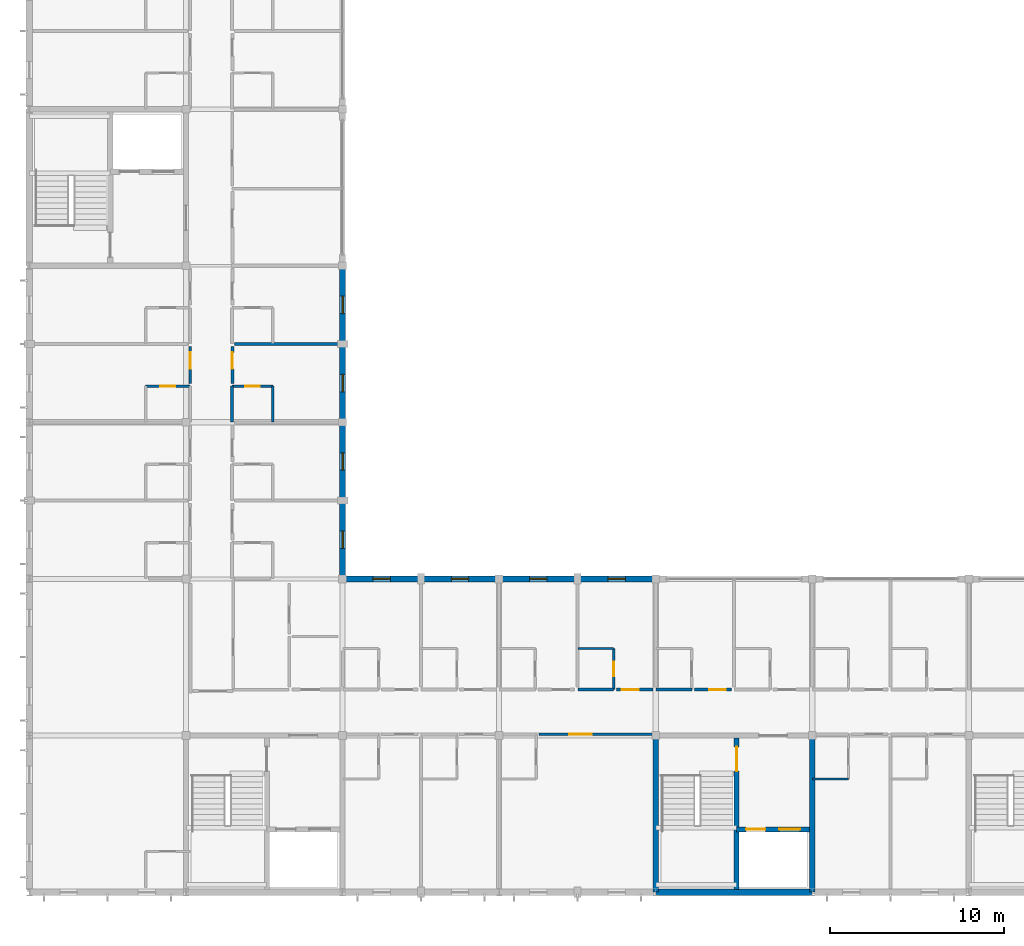
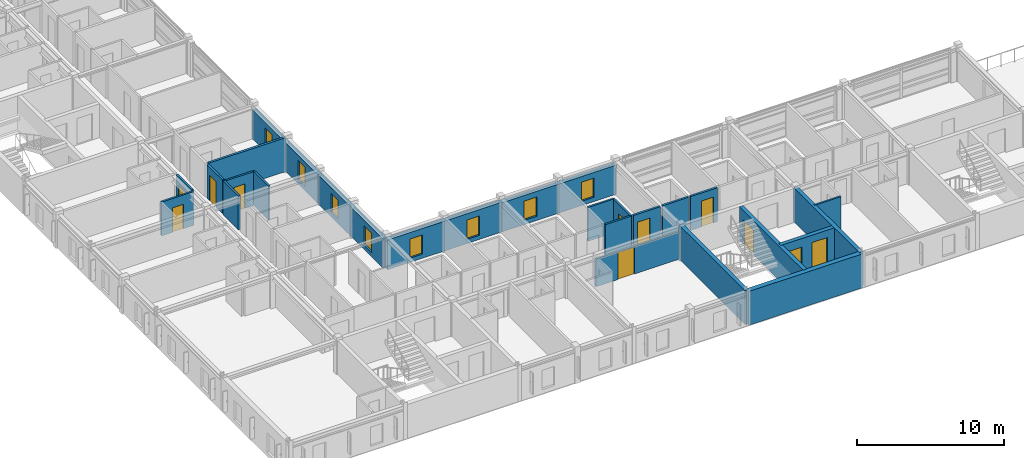
# One storey, part 12 of 24: 24 walls, 11 doors, 8 windows, 19 openings.
"""IFC4 building model written with IfcOpenShell, lengths in metres."""

import ifcopenshell
import ifcopenshell.guid

model = None  # the IFC model being written
_history = None  # IfcOwnerHistory: only IFC2X3 demands one
_inside = {}  # id of a spatial element -> (the spatial element, [elements in it])
_under = {}  # id of a project, library or spatial element -> (it, [spatial elements below it])
_declared = {}  # id of a project -> (the project, [libraries it declares])
_typed = {}  # id of a type object -> (the type object, [elements of that type])
_made_of = {}  # id of a material, layer set ... -> (it, [elements and type objects made of it])


def new_model(schema):
    """Start an empty IFC model of exactly this schema.

    Asked for "IFC4X3", IfcOpenShell would pick the latest addendum, in which some entities
    have other attributes; the version numbers below select the first issue.
    IFC2X3 requires an IfcOwnerHistory on every rooted entity: one is made here for all.
    """
    global model, _history
    if schema == "IFC4X3":
        model = ifcopenshell.file(schema_version=(4, 3, 0, 0))
    else:
        model = ifcopenshell.file(schema=schema)
    _inside.clear()
    _under.clear()
    _declared.clear()
    _typed.clear()
    _made_of.clear()
    _history = None
    if model.schema == "IFC2X3":
        org = make("IfcOrganization", Name="unknown")
        user = make(
            "IfcPersonAndOrganization",
            ThePerson=make("IfcPerson", FamilyName="unknown"),
            TheOrganization=org,
        )
        app = make(
            "IfcApplication",
            ApplicationDeveloper=org,
            Version="unknown",
            ApplicationFullName="unknown",
            ApplicationIdentifier="unknown",
        )
        _history = make(
            "IfcOwnerHistory",
            OwningUser=user,
            OwningApplication=app,
            ChangeAction="ADDED",
            CreationDate=0,
        )
    return model


def make(cls, **values):
    """One entity of the class cls with the attributes given. An attribute that is None is left unset."""
    return model.create_entity(
        cls, **{name: value for name, value in values.items() if value is not None}
    )


def rooted(cls, **values):
    """An entity with a GlobalId (a new one), such as an element, a storey or a relation."""
    return make(cls, GlobalId=ifcopenshell.guid.new(), OwnerHistory=_history, **values)


def si_unit(unit_type, name, prefix=None):
    """IfcSIUnit, for example si_unit("LENGTHUNIT", "METRE", prefix="MILLI")."""
    return make("IfcSIUnit", UnitType=unit_type, Prefix=prefix, Name=name)


def assignment(units):
    """IfcUnitAssignment: the units of a project."""
    return None if units is None else make("IfcUnitAssignment", Units=units)


def point(xyz):
    """IfcCartesianPoint."""
    return None if xyz is None else make("IfcCartesianPoint", Coordinates=xyz)


def direction(xyz):
    """IfcDirection."""
    return None if xyz is None else make("IfcDirection", DirectionRatios=xyz)


def frame(location, z_axis=None, x_axis=None):
    """IfcAxis2Placement3D, a coordinate frame: its origin and axes. An axis left out is left unset."""
    return make(
        "IfcAxis2Placement3D",
        Location=point(location),
        Axis=direction(z_axis),
        RefDirection=direction(x_axis),
    )


def frame_2d(location, x_axis=None):
    """IfcAxis2Placement2D, a coordinate frame in the plane: its origin and x axis."""
    return make(
        "IfcAxis2Placement2D", Location=point(location), RefDirection=direction(x_axis)
    )


def origin():
    """The frame at (0, 0, 0) with its axes left unset."""
    return frame((0.0, 0.0, 0.0))


def place(relative_to, where):
    """IfcLocalPlacement: puts the frame where relative to a parent placement (None: the world)."""
    return make(
        "IfcLocalPlacement", PlacementRelTo=relative_to, RelativePlacement=where
    )


def context(
    kind, dimensions, precision=None, world=None, true_north=None, identifier=None
):
    """IfcGeometricRepresentationContext, for example the 3D "Model" context."""
    return make(
        "IfcGeometricRepresentationContext",
        ContextIdentifier=identifier,
        ContextType=kind,
        CoordinateSpaceDimension=dimensions,
        Precision=precision,
        WorldCoordinateSystem=world,
        TrueNorth=true_north,
    )


def subcontext(parent, identifier, kind, view, scale=None):
    """IfcGeometricRepresentationSubContext, for example "Body" below "Model"."""
    return make(
        "IfcGeometricRepresentationSubContext",
        ContextIdentifier=identifier,
        ContextType=kind,
        ParentContext=parent,
        TargetScale=scale,
        TargetView=view,
    )


def project(units=None, contexts=None):
    """IfcProject with its units and contexts."""
    return rooted(
        "IfcProject",
        Name="project",
        RepresentationContexts=contexts,
        UnitsInContext=assignment(units),
    )


def spatial(cls, under=None, at=None, **own):
    """A site, building, storey or space (cls), placed at a placement, below another one or the project."""
    s = rooted(cls, ObjectPlacement=at, **own)
    if under is not None:
        _under.setdefault(under.id(), (under, []))[1].append(s)
    return s


def profile(cls, at=None, kind="AREA", **sizes):
    """A parametric profile (cls). Its sizes go by their IFC names, for example OverallWidth=200.0."""
    return make(cls, ProfileType=kind, Position=at, **sizes)


def rectangle(**sizes):
    """IfcRectangleProfileDef."""
    return profile("IfcRectangleProfileDef", **sizes)


def extrude(swept, where, along, depth):
    """IfcExtrudedAreaSolid: the profile swept, set in the frame where, extruded along a direction by depth."""
    return make(
        "IfcExtrudedAreaSolid",
        SweptArea=swept,
        Position=where,
        ExtrudedDirection=direction(along),
        Depth=depth,
    )


def shape(context_of_items, identifier, shape_type, items):
    """IfcShapeRepresentation: the items that make up one representation, for example the "Body"."""
    return make(
        "IfcShapeRepresentation",
        ContextOfItems=context_of_items,
        RepresentationIdentifier=identifier,
        RepresentationType=shape_type,
        Items=items,
    )


def material(Name=None, Category=None):
    """IfcMaterial."""
    return make("IfcMaterial", Name=Name, Category=Category)


def layer(
    of_material, thickness, ventilated=None, Name=None, Category=None, Priority=None
):
    """IfcMaterialLayer: one layer of a wall or slab, of a material (None: an air gap)."""
    return make(
        "IfcMaterialLayer",
        Material=of_material,
        LayerThickness=thickness,
        IsVentilated=ventilated,
        Name=Name,
        Category=Category,
        Priority=Priority,
    )


def layer_set(layers, Name=None):
    """IfcMaterialLayerSet."""
    return make("IfcMaterialLayerSet", MaterialLayers=layers, LayerSetName=Name)


def made_of(thing, what):
    """Note that an element or type object is made of a material, layer set ...; save() writes the relation."""
    if what is not None:
        _made_of.setdefault(what.id(), (what, []))[1].append(thing)
    return thing


def type_object(cls, material=None, **own):
    """A type object (cls), such as IfcWallType, which elements share."""
    return made_of(rooted(cls, **own), material)


def element(
    cls,
    number,
    at=None,
    inside=None,
    cuts=None,
    type_object=None,
    material=None,
    context=None,
    identifier="Body",
    shape_type=None,
    held_by="IfcProductDefinitionShape",
    body=None,
    shapes=None,
    **own,
):
    """One element of the class cls, such as IfcWall. Its Tag is "e" and its number.

    at: its placement. inside: the storey or other place that contains it. cuts: it is an
    opening in that element (IfcRelVoidsElement). A single representation is given by context,
    identifier, shape_type and body (its items); several are given by shapes. held_by: the class
    of the entity that holds the representations. save() writes the other relations.
    """
    e = rooted(cls, Tag="e%d" % number, ObjectPlacement=at, **own)
    if body is not None:
        shapes = [shape(context, identifier, shape_type, body)]
    if shapes is not None:
        e.Representation = make(held_by, Representations=shapes)
    if inside is not None:
        _inside.setdefault(inside.id(), (inside, []))[1].append(e)
    if cuts is not None:
        rooted(
            "IfcRelVoidsElement", RelatingBuildingElement=cuts, RelatedOpeningElement=e
        )
    if type_object is not None:
        _typed.setdefault(type_object.id(), (type_object, []))[1].append(e)
    return made_of(e, material)


def fill(opening, filler):
    """IfcRelFillsElement: the door or window that sits in an opening."""
    return rooted(
        "IfcRelFillsElement",
        RelatingOpeningElement=opening,
        RelatedBuildingElement=filler,
    )


def aggregate(whole, parts):
    """IfcRelAggregates: a whole, such as a stair, and the parts it consists of."""
    return rooted("IfcRelAggregates", RelatingObject=whole, RelatedObjects=parts)


def save(model, path):
    """Write the relations noted so far, then the file.

    IfcRelAggregates (storeys below a building ...), IfcRelContainedInSpatialStructure (elements
    in a storey), IfcRelDefinesByType, IfcRelAssociatesMaterial and IfcRelDeclares: one each for
    every whole, place, type object, material and project.
    """
    for whole, parts in _under.values():
        aggregate(whole, parts)
    for where, things in _inside.values():
        rooted(
            "IfcRelContainedInSpatialStructure",
            RelatedElements=things,
            RelatingStructure=where,
        )
    for kind, things in _typed.values():
        rooted("IfcRelDefinesByType", RelatedObjects=things, RelatingType=kind)
    for what, things in _made_of.values():
        rooted("IfcRelAssociatesMaterial", RelatedObjects=things, RelatingMaterial=what)
    for by, libraries in _declared.values():
        rooted("IfcRelDeclares", RelatingContext=by, RelatedDefinitions=libraries)
    model.write(path)


model = new_model("IFC4")

# Units and contexts
model_context = context("Model", 3, precision=1e-05, world=origin(), true_north=direction((0.0, 1.0)))
body_context = subcontext(model_context, "Body", "Model", "MODEL_VIEW")
ifc_project = project(units=[si_unit("LENGTHUNIT", "METRE"), si_unit("AREAUNIT", "SQUARE_METRE"), si_unit("VOLUMEUNIT", "CUBIC_METRE"), si_unit("PLANEANGLEUNIT", "RADIAN"), si_unit("MASSUNIT", "GRAM", prefix="KILO")], contexts=[model_context])

# Site, building, storey
site_placement = place(None, origin())
site = spatial("IfcSite", under=ifc_project, at=site_placement, CompositionType="ELEMENT")
building_placement = place(site_placement, origin())
building = spatial("IfcBuilding", under=site, at=building_placement, Name="Palais des Congres Ocreval", CompositionType="ELEMENT")
storey_placement = place(building_placement, frame((0.0, 0.0, 17.60009765625)))
storey = spatial("IfcBuildingStorey", under=building, at=storey_placement, Name="L05", CompositionType="ELEMENT", Elevation=17.60009765625)

# Wall
ifc_material_1 = material(Name="Moisture-resistant gypsum board")
ifc_layer_1 = layer(ifc_material_1, 0.139892578125)
ifc_layer_set_1 = layer_set([ifc_layer_1], Name="Bathroom Plumbing Chase Wall 140 Gypsum (Moisture-resistant gypsum board)")
wall_type_1 = type_object("IfcWallType", Name="Bathroom Plumbing Chase Wall 140 Gypsum", PredefinedType="PLUMBINGWALL", material=ifc_layer_set_1)
wall_1_placement = place(storey_placement, frame((45.02001953125, 6.5, 0.0), z_axis=(0.0, 0.0, 1.0), x_axis=(1.0, 0.0, 0.0)))
element("IfcWall", 1, at=wall_1_placement, inside=storey, type_object=wall_type_1, Name="Bathroom Plumbing Wall PW03 L05", PredefinedType="PLUMBINGWALL", context=body_context, shape_type="SweptSolid", body=[
    extrude(rectangle(XDim=2.06005859375, YDim=0.139892578125, at=frame_2d((1.030029296875, 0.0))), origin(), (0.0, 0.0, 1.0), 2.81982421875),
])

# Wall, opening, door
wall_2_placement = place(storey_placement, frame((33.580078125, 11.639892578125, 0.0), z_axis=(0.0, 0.0, 1.0), x_axis=(0.0, 1.0, 0.0)))
wall_2 = element("IfcWall", 2, at=wall_2_placement, inside=storey, type_object=wall_type_1, Name="Bathroom Plumbing Wall PW03 L05", PredefinedType="PLUMBINGWALL", context=body_context, shape_type="SweptSolid", body=[
    extrude(rectangle(XDim=2.360107421875, YDim=0.139892578125, at=frame_2d((1.18017578125, 0.0))), origin(), (0.0, 0.0, 1.0), 2.81982421875),
])
opening_1_placement = place(wall_2_placement, frame((0.7548828125, 0.0, 0.0)))
opening_1 = element("IfcOpeningElement", 3, at=opening_1_placement, cuts=wall_2, Name="Opening D08", PredefinedType="OPENING", context=body_context, shape_type="SweptSolid", body=[
    extrude(rectangle(XDim=0.85009765625, YDim=2.0400390625, at=frame_2d((0.425048828125, 1.02001953125))), frame((0.0, 0.079833984375, 0.0), z_axis=(0.0, -1.0, 0.0), x_axis=(1.0, 0.0, 0.0)), (0.0, 0.0, 1.0), 0.159912109375),
])
ifc_material_2 = material(Name="Solid French oak", Category="wood")
door_type_1 = type_object("IfcDoorType", Name="En-Suite Bathroom Door 850x2040", OperationType="NOTDEFINED", PredefinedType="DOOR", material=ifc_material_2)
door_1_placement = place(opening_1_placement, origin())
door_1 = element("IfcDoor", 4, at=door_1_placement, inside=storey, type_object=door_type_1, Name="En-Suite Bathroom Door D08 L05", OperationType="SINGLE_SWING_RIGHT", OverallHeight=2.0400390625, OverallWidth=0.85009765625, PredefinedType="DOOR", context=body_context, shape_type="SweptSolid", body=[
    extrude(rectangle(XDim=0.85009765625, YDim=2.0400390625, at=frame_2d((0.425048828125, 1.02001953125))), frame((0.0, 0.02490234375, 0.0), z_axis=(0.0, -1.0, 0.0), x_axis=(1.0, 0.0, 0.0)), (0.0, 0.0, 1.0), 0.050048828125),
])
fill(opening_1, door_1)

# Wall
wall_3_placement = place(storey_placement, frame((31.52001953125, 14.0, 0.0), z_axis=(0.0, 0.0, 1.0), x_axis=(1.0, 0.0, 0.0)))
element("IfcWall", 5, at=wall_3_placement, inside=storey, type_object=wall_type_1, Name="Bathroom Plumbing Wall PW03 L05", PredefinedType="PLUMBINGWALL", context=body_context, shape_type="SweptSolid", body=[
    extrude(rectangle(XDim=2.06005859375, YDim=0.139892578125, at=frame_2d((1.030029296875, 0.0))), origin(), (0.0, 0.0, 1.0), 2.81982421875),
])

# Wall, opening, door
wall_4_placement = place(storey_placement, frame((6.679931640625, 29.080078125, 0.0), z_axis=(0.0, 0.0, 1.0), x_axis=(1.0, 0.0, 0.0)))
wall_4 = element("IfcWall", 6, at=wall_4_placement, inside=storey, type_object=wall_type_1, Name="Bathroom Plumbing Wall PW03 L05", PredefinedType="PLUMBINGWALL", context=body_context, shape_type="SweptSolid", body=[
    extrude(rectangle(XDim=2.56005859375, YDim=0.139892578125, at=frame_2d((1.280029296875, 0.0))), origin(), (0.0, 0.0, 1.0), 2.81982421875),
])
opening_2_placement = place(wall_4_placement, frame((0.85498046875, 0.0, 0.0)))
opening_2 = element("IfcOpeningElement", 7, at=opening_2_placement, cuts=wall_4, Name="Opening D08", PredefinedType="OPENING", context=body_context, shape_type="SweptSolid", body=[
    extrude(rectangle(XDim=0.85009765625, YDim=2.0400390625, at=frame_2d((0.425048828125, 1.02001953125))), frame((0.0, 0.079833984375, 0.0), z_axis=(0.0, -1.0, 0.0), x_axis=(1.0, 0.0, 0.0)), (0.0, 0.0, 1.0), 0.159912109375),
])
door_2_placement = place(opening_2_placement, origin())
door_2 = element("IfcDoor", 8, at=door_2_placement, inside=storey, type_object=door_type_1, Name="En-Suite Bathroom Door D08 L05", OperationType="SINGLE_SWING_LEFT", OverallHeight=2.0400390625, OverallWidth=0.85009765625, PredefinedType="DOOR", context=body_context, shape_type="SweptSolid", body=[
    extrude(rectangle(XDim=0.85009765625, YDim=2.0400390625, at=frame_2d((0.425048828125, 1.02001953125))), frame((0.0, 0.02490234375, 0.0), z_axis=(0.0, -1.0, 0.0), x_axis=(1.0, 0.0, 0.0)), (0.0, 0.0, 1.0), 0.050048828125),
])
fill(opening_2, door_2)

wall_5_placement = place(storey_placement, frame((11.639892578125, 29.080078125, 0.0), z_axis=(0.0, 0.0, 1.0), x_axis=(1.0, 0.0, 0.0)))
wall_5 = element("IfcWall", 9, at=wall_5_placement, inside=storey, type_object=wall_type_1, Name="Bathroom Plumbing Wall PW03 L05", PredefinedType="PLUMBINGWALL", context=body_context, shape_type="SweptSolid", body=[
    extrude(rectangle(XDim=2.360107421875, YDim=0.139892578125, at=frame_2d((1.18017578125, 0.0))), origin(), (0.0, 0.0, 1.0), 2.81982421875),
])
opening_3_placement = place(wall_5_placement, frame((0.7548828125, 0.0, 0.0)))
opening_3 = element("IfcOpeningElement", 10, at=opening_3_placement, cuts=wall_5, Name="Opening D08", PredefinedType="OPENING", context=body_context, shape_type="SweptSolid", body=[
    extrude(rectangle(XDim=0.85009765625, YDim=2.0400390625, at=frame_2d((0.425048828125, 1.02001953125))), frame((0.0, 0.079833984375, 0.0), z_axis=(0.0, -1.0, 0.0), x_axis=(1.0, 0.0, 0.0)), (0.0, 0.0, 1.0), 0.159912109375),
])
door_3_placement = place(opening_3_placement, origin())
door_3 = element("IfcDoor", 11, at=door_3_placement, inside=storey, type_object=door_type_1, Name="En-Suite Bathroom Door D08 L05", OperationType="SINGLE_SWING_LEFT", OverallHeight=2.0400390625, OverallWidth=0.85009765625, PredefinedType="DOOR", context=body_context, shape_type="SweptSolid", body=[
    extrude(rectangle(XDim=0.85009765625, YDim=2.0400390625, at=frame_2d((0.425048828125, 1.02001953125))), frame((0.0, 0.02490234375, 0.0), z_axis=(0.0, -1.0, 0.0), x_axis=(1.0, 0.0, 0.0)), (0.0, 0.0, 1.0), 0.050048828125),
])
fill(opening_3, door_3)

# Walls
wall_6_placement = place(storey_placement, frame((14.0, 27.02001953125, 0.0), z_axis=(0.0, 0.0, 1.0), x_axis=(0.0, 1.0, 0.0)))
element("IfcWall", 12, at=wall_6_placement, inside=storey, type_object=wall_type_1, Name="Bathroom Plumbing Wall PW03 L05", PredefinedType="PLUMBINGWALL", context=body_context, shape_type="SweptSolid", body=[
    extrude(rectangle(XDim=2.06005859375, YDim=0.139892578125, at=frame_2d((1.030029296875, 0.0))), origin(), (0.0, 0.0, 1.0), 2.81982421875),
])
ifc_material_3 = material(Name="Concrete C40/50", Category="concrete")
ifc_layer_2 = layer(ifc_material_3, 0.300048828125)
ifc_layer_set_2 = layer_set([ifc_layer_2], Name="Core Shear Wall 300 Concrete C40/50")
wall_type_2 = type_object("IfcWallType", Name="Core Shear Wall 300 Concrete C40/50", PredefinedType="SHEAR", material=ifc_layer_set_2)
for number, where, z_axis, x_axis, name in (
    (13, (45.0, 0.0, 0.0), (0.0, 0.0, 1.0), (0.0, 1.0, 0.0), "Core Shear Wall SC02 L05 E"),
    (14, (36.0, 0.0, 0.0), (0.0, 0.0, 1.0), (0.0, 1.0, 0.0), "Core Shear Wall SC02 L05 W"),
):
    element("IfcWall", number, at=place(storey_placement, frame(where, z_axis=z_axis, x_axis=x_axis)), inside=storey, type_object=wall_type_2, Name=name, PredefinedType="SHEAR", context=body_context, shape_type="SweptSolid", body=[
        extrude(rectangle(XDim=9.0, YDim=0.300048828125, at=frame_2d((4.5, 0.0))), origin(), (0.0, 0.0, 1.0), 2.81982421875),
    ])

# Wall, opening, door
wall_7_placement = place(storey_placement, frame((40.64990234375, 0.14990234375, 0.0), z_axis=(0.0, 0.0, 1.0), x_axis=(0.0, 1.0, 0.0)))
wall_7 = element("IfcWall", 15, at=wall_7_placement, inside=storey, type_object=wall_type_2, Name="Core Spine Shear Wall SC02 L05", PredefinedType="SHEAR", context=body_context, shape_type="SweptSolid", body=[
    extrude(rectangle(XDim=8.7001953125, YDim=0.300048828125, at=frame_2d((4.35009765625, 0.0))), origin(), (0.0, 0.0, 1.0), 2.81982421875),
])
opening_4_placement = place(wall_7_placement, frame((6.800048828125, 0.0, 0.0)))
opening_4 = element("IfcOpeningElement", 16, at=opening_4_placement, cuts=wall_7, Name="Opening D03", PredefinedType="OPENING", context=body_context, shape_type="SweptSolid", body=[
    extrude(rectangle(XDim=1.39990234375, YDim=2.02001953125, at=frame_2d((0.699951171875, 1.010009765625))), frame((0.0, 0.159912109375, 0.0), z_axis=(0.0, -1.0, 0.0), x_axis=(1.0, 0.0, 0.0)), (0.0, 0.0, 1.0), 0.320068359375),
])
ifc_material_4 = material(Name="Painted fire-rated steel", Category="steel")
door_type_2 = type_object("IfcDoorType", Name="Core Lobby Rated Door 1400x2020", OperationType="NOTDEFINED", PredefinedType="DOOR", material=ifc_material_4)
door_4_placement = place(opening_4_placement, origin())
door_4 = element("IfcDoor", 17, at=door_4_placement, inside=storey, type_object=door_type_2, Name="Protected Exit Stair Door ST02 L05", OperationType="SINGLE_SWING_RIGHT", OverallHeight=2.02001953125, OverallWidth=1.39990234375, PredefinedType="DOOR", context=body_context, shape_type="SweptSolid", body=[
    extrude(rectangle(XDim=1.39990234375, YDim=2.02001953125, at=frame_2d((0.699951171875, 1.010009765625))), frame((0.0, 0.02490234375, 0.0), z_axis=(0.0, -1.0, 0.0), x_axis=(1.0, 0.0, 0.0)), (0.0, 0.0, 1.0), 0.050048828125),
])
fill(opening_4, door_4)

# Wall, openings, doors
wall_8_placement = place(storey_placement, frame((40.64990234375, 3.60009765625, 0.0), z_axis=(0.0, 0.0, 1.0), x_axis=(1.0, 0.0, 0.0)))
wall_8 = element("IfcWall", 18, at=wall_8_placement, inside=storey, type_object=wall_type_2, Name="Lift Shaft Front Wall SC02 L05", PredefinedType="SHEAR", context=body_context, shape_type="SweptSolid", body=[
    extrude(rectangle(XDim=4.2001953125, YDim=0.300048828125, at=frame_2d((2.10009765625, 0.0))), origin(), (0.0, 0.0, 1.0), 2.81982421875),
])
opening_5_placement = place(wall_8_placement, frame((0.550048828125, 0.0, 0.0)))
opening_5 = element("IfcOpeningElement", 19, at=opening_5_placement, cuts=wall_8, Name="Opening LD01", PredefinedType="OPENING", context=body_context, shape_type="SweptSolid", body=[
    extrude(rectangle(XDim=1.10009765625, YDim=2.10009765625, at=frame_2d((0.550048828125, 1.050048828125))), frame((0.0, 0.159912109375, 0.0), z_axis=(0.0, -1.0, 0.0), x_axis=(1.0, 0.0, 0.0)), (0.0, 0.0, 1.0), 0.320068359375),
])
opening_6_placement = place(wall_8_placement, frame((2.449951171875, 0.0, 0.0)))
opening_6 = element("IfcOpeningElement", 20, at=opening_6_placement, cuts=wall_8, Name="Opening LD02", PredefinedType="OPENING", context=body_context, shape_type="SweptSolid", body=[
    extrude(rectangle(XDim=1.199951171875, YDim=2.199951171875, at=frame_2d((0.60009765625, 1.10009765625))), frame((0.0, 0.159912109375, 0.0), z_axis=(0.0, -1.0, 0.0), x_axis=(1.0, 0.0, 0.0)), (0.0, 0.0, 1.0), 0.320068359375),
])
ifc_material_5 = material(Name="Stainless steel", Category="steel")
door_type_3 = type_object("IfcDoorType", Name="Firefighting Lift Sliding Landing Door 1100x2100", OperationType="NOTDEFINED", PredefinedType="DOOR", material=ifc_material_5)
door_5_placement = place(opening_5_placement, origin())
door_5 = element("IfcDoor", 21, at=door_5_placement, inside=storey, type_object=door_type_3, Name="Lift Landing Sliding Door FF2 L05", OperationType="DOUBLE_DOOR_SLIDING", OverallHeight=2.10009765625, OverallWidth=1.10009765625, PredefinedType="DOOR", context=body_context, shape_type="SweptSolid", body=[
    extrude(rectangle(XDim=1.10009765625, YDim=2.10009765625, at=frame_2d((0.550048828125, 1.050048828125))), frame((0.0, 0.02490234375, 0.0), z_axis=(0.0, -1.0, 0.0), x_axis=(1.0, 0.0, 0.0)), (0.0, 0.0, 1.0), 0.050048828125),
])
fill(opening_5, door_5)
ifc_material_6 = material(Name="Anodized bronze steel", Category="steel")
door_type_4 = type_object("IfcDoorType", Name="Passenger and Service Lift Sliding Door 1200x2200", OperationType="NOTDEFINED", PredefinedType="DOOR", material=ifc_material_6)
door_6_placement = place(opening_6_placement, origin())
door_6 = element("IfcDoor", 22, at=door_6_placement, inside=storey, type_object=door_type_4, Name="Lift Landing Sliding Door PL2 L05", OperationType="DOUBLE_DOOR_SLIDING", OverallHeight=2.199951171875, OverallWidth=1.199951171875, PredefinedType="DOOR", context=body_context, shape_type="SweptSolid", body=[
    extrude(rectangle(XDim=1.199951171875, YDim=2.199951171875, at=frame_2d((0.60009765625, 1.10009765625))), frame((0.0, 0.02490234375, 0.0), z_axis=(0.0, -1.0, 0.0), x_axis=(1.0, 0.0, 0.0)), (0.0, 0.0, 1.0), 0.050048828125),
])
fill(opening_6, door_6)

# Walls
ifc_material_7 = material(Name="Gypsum acoustic partition")
ifc_layer_3 = layer(ifc_material_7, 0.159912109375)
ifc_layer_set_3 = layer_set([ifc_layer_3], Name="Corridor Fire Partition 160 Gypsum (Gypsum acoustic partition)")
wall_type_3 = type_object("IfcWallType", Name="Corridor Fire Partition 160 Gypsum", PredefinedType="PARTITIONING", material=ifc_layer_set_3)
for number, where, z_axis, x_axis, name in (
    (23, (31.52001953125, 11.639892578125, 0.0), (0.0, 0.0, 1.0), (1.0, 0.0, 0.0), "Corridor Partition IW03 L05"),
    (24, (36.02001953125, 11.639892578125, 0.0), (0.0, 0.0, 1.0), (1.0, 0.0, 0.0), "Corridor Partition IW03 L05"),
    (25, (11.639892578125, 27.02001953125, 0.0), (0.0, 0.0, 1.0), (0.0, 1.0, 0.0), "Corridor Partition IW03 L05"),
):
    element("IfcWall", number, at=place(storey_placement, frame(where, z_axis=z_axis, x_axis=x_axis)), inside=storey, type_object=wall_type_3, Name=name, PredefinedType="PARTITIONING", context=body_context, shape_type="SweptSolid", body=[
        extrude(rectangle(XDim=2.06005859375, YDim=0.159912109375, at=frame_2d((1.030029296875, 0.0))), origin(), (0.0, 0.0, 1.0), 2.81982421875),
    ])

# Wall, opening, door
wall_9_placement = place(storey_placement, frame((29.284912109375, 9.06494140625, 0.0), z_axis=(0.0, 0.0, 1.0), x_axis=(1.0, 0.0, 0.0)))
wall_9 = element("IfcWall", 26, at=wall_9_placement, inside=storey, type_object=wall_type_3, Name="Interior Partition IW03 L05", PredefinedType="PARTITIONING", context=body_context, shape_type="SweptSolid", body=[
    extrude(rectangle(XDim=6.56005859375, YDim=0.159912109375, at=frame_2d((3.280029296875, 0.0))), origin(), (0.0, 0.0, 1.0), 2.289794921875),
])
opening_7_placement = place(wall_9_placement, frame((1.75, 0.0, 0.0)))
opening_7 = element("IfcOpeningElement", 27, at=opening_7_placement, cuts=wall_9, Name="Opening D07", PredefinedType="OPENING", context=body_context, shape_type="SweptSolid", body=[
    extrude(rectangle(XDim=1.300048828125, YDim=2.25, at=frame_2d((0.64990234375, 1.125))), frame((0.0, 0.08984375, 0.0), z_axis=(0.0, -1.0, 0.0), x_axis=(1.0, 0.0, 0.0)), (0.0, 0.0, 1.0), 0.179931640625),
])
door_type_5 = type_object("IfcDoorType", Name="Luxury Suite Double Door 1300x2250", OperationType="NOTDEFINED", PredefinedType="DOOR", material=ifc_material_2)
door_7_placement = place(opening_7_placement, origin())
door_7 = element("IfcDoor", 28, at=door_7_placement, inside=storey, type_object=door_type_5, Name="Interior Door D07 L05", OperationType="DOUBLE_DOOR_SINGLE_SWING", OverallHeight=2.25, OverallWidth=1.300048828125, PredefinedType="DOOR", context=body_context, shape_type="SweptSolid", body=[
    extrude(rectangle(XDim=1.300048828125, YDim=2.25, at=frame_2d((0.64990234375, 1.125))), frame((0.0, 0.02490234375, 0.0), z_axis=(0.0, -1.0, 0.0), x_axis=(1.0, 0.0, 0.0)), (0.0, 0.0, 1.0), 0.050048828125),
])
fill(opening_7, door_7)

wall_10_placement = place(storey_placement, frame((33.735107421875, 11.635009765625, 0.0), z_axis=(0.0, 0.0, 1.0), x_axis=(1.0, 0.0, 0.0)))
wall_10 = element("IfcWall", 29, at=wall_10_placement, inside=storey, type_object=wall_type_3, Name="Interior Partition IW03 L05", PredefinedType="PARTITIONING", context=body_context, shape_type="SweptSolid", body=[
    extrude(rectangle(XDim=2.10986328125, YDim=0.159912109375, at=frame_2d((1.054931640625, 0.0))), origin(), (0.0, 0.0, 1.0), 2.81982421875),
])
opening_8_placement = place(wall_10_placement, frame((0.326904296875, 0.0, 0.0)))
opening_8 = element("IfcOpeningElement", 30, at=opening_8_placement, cuts=wall_10, Name="Opening D05", PredefinedType="OPENING", context=body_context, shape_type="SweptSolid", body=[
    extrude(rectangle(XDim=0.949951171875, YDim=2.14990234375, at=frame_2d((0.47509765625, 1.074951171875))), frame((0.0, 0.08984375, 0.0), z_axis=(0.0, -1.0, 0.0), x_axis=(1.0, 0.0, 0.0)), (0.0, 0.0, 1.0), 0.179931640625),
])
door_type_6 = type_object("IfcDoorType", Name="Hotel Guestroom Entrance Door 950x2150", OperationType="NOTDEFINED", PredefinedType="DOOR", material=ifc_material_2)
door_8_placement = place(opening_8_placement, origin())
door_8 = element("IfcDoor", 31, at=door_8_placement, inside=storey, type_object=door_type_6, Name="Interior Door D05 L05", OperationType="SINGLE_SWING_LEFT", OverallHeight=2.14990234375, OverallWidth=0.949951171875, PredefinedType="DOOR", context=body_context, shape_type="SweptSolid", body=[
    extrude(rectangle(XDim=0.949951171875, YDim=2.14990234375, at=frame_2d((0.47509765625, 1.074951171875))), frame((0.0, 0.02490234375, 0.0), z_axis=(0.0, -1.0, 0.0), x_axis=(1.0, 0.0, 0.0)), (0.0, 0.0, 1.0), 0.050048828125),
])
fill(opening_8, door_8)

wall_11_placement = place(storey_placement, frame((38.235107421875, 11.635009765625, 0.0), z_axis=(0.0, 0.0, 1.0), x_axis=(1.0, 0.0, 0.0)))
wall_11 = element("IfcWall", 32, at=wall_11_placement, inside=storey, type_object=wall_type_3, Name="Interior Partition IW03 L05", PredefinedType="PARTITIONING", context=body_context, shape_type="SweptSolid", body=[
    extrude(rectangle(XDim=2.10986328125, YDim=0.159912109375, at=frame_2d((1.054931640625, 0.0))), origin(), (0.0, 0.0, 1.0), 2.81982421875),
])
opening_9_placement = place(wall_11_placement, frame((0.833251953125, 0.0, 0.0)))
opening_9 = element("IfcOpeningElement", 33, at=opening_9_placement, cuts=wall_11, Name="Opening D05", PredefinedType="OPENING", context=body_context, shape_type="SweptSolid", body=[
    extrude(rectangle(XDim=0.949951171875, YDim=2.14990234375, at=frame_2d((0.47509765625, 1.074951171875))), frame((0.0, 0.08984375, 0.0), z_axis=(0.0, -1.0, 0.0), x_axis=(1.0, 0.0, 0.0)), (0.0, 0.0, 1.0), 0.179931640625),
])
door_9_placement = place(opening_9_placement, origin())
door_9 = element("IfcDoor", 34, at=door_9_placement, inside=storey, type_object=door_type_6, Name="Interior Door D05 L05", OperationType="SINGLE_SWING_RIGHT", OverallHeight=2.14990234375, OverallWidth=0.949951171875, PredefinedType="DOOR", context=body_context, shape_type="SweptSolid", body=[
    extrude(rectangle(XDim=0.949951171875, YDim=2.14990234375, at=frame_2d((0.47509765625, 1.074951171875))), frame((0.0, 0.02490234375, 0.0), z_axis=(0.0, -1.0, 0.0), x_axis=(1.0, 0.0, 0.0)), (0.0, 0.0, 1.0), 0.050048828125),
])
fill(opening_9, door_9)

wall_12_placement = place(storey_placement, frame((9.25, 29.235107421875, 0.0), z_axis=(0.0, 0.0, 1.0), x_axis=(0.0, 1.0, 0.0)))
wall_12 = element("IfcWall", 35, at=wall_12_placement, inside=storey, type_object=wall_type_3, Name="Interior Partition IW03 L05", PredefinedType="PARTITIONING", context=body_context, shape_type="SweptSolid", body=[
    extrude(rectangle(XDim=2.10986328125, YDim=0.159912109375, at=frame_2d((1.054931640625, 0.0))), origin(), (0.0, 0.0, 1.0), 2.81982421875),
])
opening_10_placement = place(wall_12_placement, frame((0.833251953125, 0.0, 0.0)))
opening_10 = element("IfcOpeningElement", 36, at=opening_10_placement, cuts=wall_12, Name="Opening D05", PredefinedType="OPENING", context=body_context, shape_type="SweptSolid", body=[
    extrude(rectangle(XDim=0.949951171875, YDim=2.14990234375, at=frame_2d((0.47509765625, 1.074951171875))), frame((0.0, 0.08984375, 0.0), z_axis=(0.0, -1.0, 0.0), x_axis=(1.0, 0.0, 0.0)), (0.0, 0.0, 1.0), 0.179931640625),
])
door_10_placement = place(opening_10_placement, origin())
door_10 = element("IfcDoor", 37, at=door_10_placement, inside=storey, type_object=door_type_6, Name="Interior Door D05 L05", OperationType="SINGLE_SWING_LEFT", OverallHeight=2.14990234375, OverallWidth=0.949951171875, PredefinedType="DOOR", context=body_context, shape_type="SweptSolid", body=[
    extrude(rectangle(XDim=0.949951171875, YDim=2.14990234375, at=frame_2d((0.47509765625, 1.074951171875))), frame((0.0, 0.02490234375, 0.0), z_axis=(0.0, -1.0, 0.0), x_axis=(1.0, 0.0, 0.0)), (0.0, 0.0, 1.0), 0.050048828125),
])
fill(opening_10, door_10)

wall_13_placement = place(storey_placement, frame((11.669921875, 29.235107421875, 0.0), z_axis=(0.0, 0.0, 1.0), x_axis=(0.0, 1.0, 0.0)))
wall_13 = element("IfcWall", 38, at=wall_13_placement, inside=storey, type_object=wall_type_3, Name="Interior Partition IW03 L05", PredefinedType="PARTITIONING", context=body_context, shape_type="SweptSolid", body=[
    extrude(rectangle(XDim=2.10986328125, YDim=0.159912109375, at=frame_2d((1.054931640625, 0.0))), origin(), (0.0, 0.0, 1.0), 2.81982421875),
])
opening_11_placement = place(wall_13_placement, frame((0.833251953125, 0.0, 0.0)))
opening_11 = element("IfcOpeningElement", 39, at=opening_11_placement, cuts=wall_13, Name="Opening D05", PredefinedType="OPENING", context=body_context, shape_type="SweptSolid", body=[
    extrude(rectangle(XDim=0.949951171875, YDim=2.14990234375, at=frame_2d((0.47509765625, 1.074951171875))), frame((0.0, 0.08984375, 0.0), z_axis=(0.0, -1.0, 0.0), x_axis=(1.0, 0.0, 0.0)), (0.0, 0.0, 1.0), 0.179931640625),
])
door_11_placement = place(opening_11_placement, origin())
door_11 = element("IfcDoor", 40, at=door_11_placement, inside=storey, type_object=door_type_6, Name="Interior Door D05 L05", OperationType="SINGLE_SWING_LEFT", OverallHeight=2.14990234375, OverallWidth=0.949951171875, PredefinedType="DOOR", context=body_context, shape_type="SweptSolid", body=[
    extrude(rectangle(XDim=0.949951171875, YDim=2.14990234375, at=frame_2d((0.47509765625, 1.074951171875))), frame((0.0, 0.02490234375, 0.0), z_axis=(0.0, -1.0, 0.0), x_axis=(1.0, 0.0, 0.0)), (0.0, 0.0, 1.0), 0.050048828125),
])
fill(opening_11, door_11)

# Walls
ifc_layer_4 = layer(ifc_material_7, 0.179931640625)
ifc_layer_set_4 = layer_set([ifc_layer_4], Name="Hotel Inter-Room Acoustic Partition 180 Gypsum (Gypsum acoustic partition)")
wall_type_4 = type_object("IfcWallType", Name="Hotel Inter-Room Acoustic Partition 180 Gypsum", PredefinedType="PARTITIONING", material=ifc_layer_set_4)
wall_14_placement = place(storey_placement, frame((11.794921875, 31.5, 0.0), z_axis=(0.0, 0.0, 1.0), x_axis=(1.0, 0.0, 0.0)))
element("IfcWall", 41, at=wall_14_placement, inside=storey, type_object=wall_type_4, Name="Hotel Party Partition IW02 L05", PredefinedType="PARTITIONING", context=body_context, shape_type="SweptSolid", body=[
    extrude(rectangle(XDim=6.030029296875, YDim=0.179931640625, at=frame_2d((3.01513671875, 0.0))), origin(), (0.0, 0.0, 1.0), 2.81982421875),
])
ifc_layer_5 = layer(ifc_material_3, 0.3798828125)
ifc_layer_set_5 = layer_set([ifc_layer_5], Name="Lutetian Limestone Street Wall 380 Concrete C40/50")
wall_type_5 = type_object("IfcWallType", Name="Lutetian Limestone Street Wall 380 Concrete C40/50", PredefinedType="SOLIDWALL", material=ifc_layer_set_5)
wall_15_placement = place(storey_placement, frame((45.0, 0.0, 0.0), z_axis=(0.0, 0.0, 1.0), x_axis=(-1.0, 0.0, 0.0)))
element("IfcWall", 42, at=wall_15_placement, inside=storey, type_object=wall_type_5, Name="Core Perimeter Shear Wall EW03 SC02 L05", PredefinedType="SOLIDWALL", context=body_context, shape_type="SweptSolid", body=[
    extrude(rectangle(XDim=9.0, YDim=0.3798828125, at=frame_2d((4.5, 0.0))), origin(), (0.0, 0.0, 1.0), 2.81982421875),
])

# Wall, openings, windows
ifc_layer_6 = layer(ifc_material_3, 0.340087890625)
ifc_layer_set_6 = layer_set([ifc_layer_6], Name="Ochre Mineral-Lime Courtyard Wall 340 Concrete C40/50")
wall_type_6 = type_object("IfcWallType", Name="Ochre Mineral-Lime Courtyard Wall 340 Concrete C40/50", PredefinedType="SOLIDWALL", material=ifc_layer_set_6)
wall_16_placement = place(storey_placement, frame((18.0, 36.0, 0.0), z_axis=(0.0, 0.0, 1.0), x_axis=(0.0, -1.0, 0.0)))
wall_16 = element("IfcWall", 43, at=wall_16_placement, inside=storey, type_object=wall_type_6, Name="Exterior Wall EW04 L05", PredefinedType="SOLIDWALL", context=body_context, shape_type="SweptSolid", body=[
    extrude(rectangle(XDim=9.0, YDim=0.340087890625, at=frame_2d((4.5, 0.0))), origin(), (0.0, 0.0, 1.0), 2.3798828125),
])
opening_12_placement = place(wall_16_placement, frame((1.75, 0.0, 0.35009765625)))
opening_12 = element("IfcOpeningElement", 44, at=opening_12_placement, cuts=wall_16, Name="Opening WN18", PredefinedType="OPENING", context=body_context, shape_type="SweptSolid", body=[
    extrude(rectangle(XDim=1.0, YDim=1.60009765625, at=frame_2d((0.5, 0.800048828125))), frame((0.0, 0.179931640625, 0.0), z_axis=(0.0, -1.0, 0.0), x_axis=(1.0, 0.0, 0.0)), (0.0, 0.0, 1.0), 0.360107421875),
])
opening_13_placement = place(wall_16_placement, frame((6.25, 0.0, 0.35009765625)))
opening_13 = element("IfcOpeningElement", 45, at=opening_13_placement, cuts=wall_16, Name="Opening WN18", PredefinedType="OPENING", context=body_context, shape_type="SweptSolid", body=[
    extrude(rectangle(XDim=1.0, YDim=1.60009765625, at=frame_2d((0.5, 0.800048828125))), frame((0.0, 0.179931640625, 0.0), z_axis=(0.0, -1.0, 0.0), x_axis=(1.0, 0.0, 0.0)), (0.0, 0.0, 1.0), 0.360107421875),
])
ifc_material_8 = material(Name="Anodized bronze aluminium and low-E glass", Category="glass")
window_type = type_object("IfcWindowType", Name="Stair and Lobby Daylight Window 1000x1600", PartitioningType="SINGLE_PANEL", PredefinedType="WINDOW", material=ifc_material_8)
window_1_placement = place(opening_12_placement, origin())
window_1 = element("IfcWindow", 46, at=window_1_placement, inside=storey, type_object=window_type, Name="Hotel Facade Window WN18", OverallHeight=1.60009765625, OverallWidth=1.0, PartitioningType="SINGLE_PANEL", PredefinedType="WINDOW", context=body_context, shape_type="SweptSolid", body=[
    extrude(rectangle(XDim=1.0, YDim=1.60009765625, at=frame_2d((0.5, 0.800048828125))), frame((0.0, 0.030029296875, 0.0), z_axis=(0.0, -1.0, 0.0), x_axis=(1.0, 0.0, 0.0)), (0.0, 0.0, 1.0), 0.06005859375),
])
fill(opening_12, window_1)
window_2_placement = place(opening_13_placement, origin())
window_2 = element("IfcWindow", 47, at=window_2_placement, inside=storey, type_object=window_type, Name="Hotel Facade Window WN18", OverallHeight=1.60009765625, OverallWidth=1.0, PartitioningType="SINGLE_PANEL", PredefinedType="WINDOW", context=body_context, shape_type="SweptSolid", body=[
    extrude(rectangle(XDim=1.0, YDim=1.60009765625, at=frame_2d((0.5, 0.800048828125))), frame((0.0, 0.030029296875, 0.0), z_axis=(0.0, -1.0, 0.0), x_axis=(1.0, 0.0, 0.0)), (0.0, 0.0, 1.0), 0.06005859375),
])
fill(opening_13, window_2)

wall_17_placement = place(storey_placement, frame((18.0, 27.0, 0.0), z_axis=(0.0, 0.0, 1.0), x_axis=(0.0, -1.0, 0.0)))
wall_17 = element("IfcWall", 48, at=wall_17_placement, inside=storey, type_object=wall_type_6, Name="Exterior Wall EW04 L05", PredefinedType="SOLIDWALL", context=body_context, shape_type="SweptSolid", body=[
    extrude(rectangle(XDim=8.844970703125, YDim=0.340087890625, at=frame_2d((4.42236328125, 0.0))), origin(), (0.0, 0.0, 1.0), 2.419921875),
])
opening_14_placement = place(wall_17_placement, frame((1.75, 0.0, 0.35009765625)))
opening_14 = element("IfcOpeningElement", 49, at=opening_14_placement, cuts=wall_17, Name="Opening WN18", PredefinedType="OPENING", context=body_context, shape_type="SweptSolid", body=[
    extrude(rectangle(XDim=1.0, YDim=1.60009765625, at=frame_2d((0.5, 0.800048828125))), frame((0.0, 0.179931640625, 0.0), z_axis=(0.0, -1.0, 0.0), x_axis=(1.0, 0.0, 0.0)), (0.0, 0.0, 1.0), 0.360107421875),
])
opening_15_placement = place(wall_17_placement, frame((6.25, 0.0, 0.35009765625)))
opening_15 = element("IfcOpeningElement", 50, at=opening_15_placement, cuts=wall_17, Name="Opening WN18", PredefinedType="OPENING", context=body_context, shape_type="SweptSolid", body=[
    extrude(rectangle(XDim=1.0, YDim=1.60009765625, at=frame_2d((0.5, 0.800048828125))), frame((0.0, 0.179931640625, 0.0), z_axis=(0.0, -1.0, 0.0), x_axis=(1.0, 0.0, 0.0)), (0.0, 0.0, 1.0), 0.360107421875),
])
window_3_placement = place(opening_14_placement, origin())
window_3 = element("IfcWindow", 51, at=window_3_placement, inside=storey, type_object=window_type, Name="Hotel Facade Window WN18", OverallHeight=1.60009765625, OverallWidth=1.0, PartitioningType="SINGLE_PANEL", PredefinedType="WINDOW", context=body_context, shape_type="SweptSolid", body=[
    extrude(rectangle(XDim=1.0, YDim=1.60009765625, at=frame_2d((0.5, 0.800048828125))), frame((0.0, 0.030029296875, 0.0), z_axis=(0.0, -1.0, 0.0), x_axis=(1.0, 0.0, 0.0)), (0.0, 0.0, 1.0), 0.06005859375),
])
fill(opening_14, window_3)
window_4_placement = place(opening_15_placement, origin())
window_4 = element("IfcWindow", 52, at=window_4_placement, inside=storey, type_object=window_type, Name="Hotel Facade Window WN18", OverallHeight=1.60009765625, OverallWidth=1.0, PartitioningType="SINGLE_PANEL", PredefinedType="WINDOW", context=body_context, shape_type="SweptSolid", body=[
    extrude(rectangle(XDim=1.0, YDim=1.60009765625, at=frame_2d((0.5, 0.800048828125))), frame((0.0, 0.030029296875, 0.0), z_axis=(0.0, -1.0, 0.0), x_axis=(1.0, 0.0, 0.0)), (0.0, 0.0, 1.0), 0.06005859375),
])
fill(opening_15, window_4)

wall_18_placement = place(storey_placement, frame((18.0, 18.0, 0.0), z_axis=(0.0, 0.0, 1.0), x_axis=(1.0, 0.0, 0.0)))
wall_18 = element("IfcWall", 53, at=wall_18_placement, inside=storey, type_object=wall_type_6, Name="Exterior Wall EW04 L05", PredefinedType="SOLIDWALL", context=body_context, shape_type="SweptSolid", body=[
    extrude(rectangle(XDim=9.0, YDim=0.340087890625, at=frame_2d((4.5, 0.0))), origin(), (0.0, 0.0, 1.0), 2.47998046875),
])
opening_16_placement = place(wall_18_placement, frame((1.75, 0.0, 0.35009765625)))
opening_16 = element("IfcOpeningElement", 54, at=opening_16_placement, cuts=wall_18, Name="Opening WN18", PredefinedType="OPENING", context=body_context, shape_type="SweptSolid", body=[
    extrude(rectangle(XDim=1.0, YDim=1.60009765625, at=frame_2d((0.5, 0.800048828125))), frame((0.0, 0.179931640625, 0.0), z_axis=(0.0, -1.0, 0.0), x_axis=(1.0, 0.0, 0.0)), (0.0, 0.0, 1.0), 0.360107421875),
])
opening_17_placement = place(wall_18_placement, frame((6.25, 0.0, 0.35009765625)))
opening_17 = element("IfcOpeningElement", 55, at=opening_17_placement, cuts=wall_18, Name="Opening WN18", PredefinedType="OPENING", context=body_context, shape_type="SweptSolid", body=[
    extrude(rectangle(XDim=1.0, YDim=1.60009765625, at=frame_2d((0.5, 0.800048828125))), frame((0.0, 0.179931640625, 0.0), z_axis=(0.0, -1.0, 0.0), x_axis=(1.0, 0.0, 0.0)), (0.0, 0.0, 1.0), 0.360107421875),
])
window_5_placement = place(opening_16_placement, origin())
window_5 = element("IfcWindow", 56, at=window_5_placement, inside=storey, type_object=window_type, Name="Hotel Facade Window WN18", OverallHeight=1.60009765625, OverallWidth=1.0, PartitioningType="SINGLE_PANEL", PredefinedType="WINDOW", context=body_context, shape_type="SweptSolid", body=[
    extrude(rectangle(XDim=1.0, YDim=1.60009765625, at=frame_2d((0.5, 0.800048828125))), frame((0.0, 0.030029296875, 0.0), z_axis=(0.0, -1.0, 0.0), x_axis=(1.0, 0.0, 0.0)), (0.0, 0.0, 1.0), 0.06005859375),
])
fill(opening_16, window_5)
window_6_placement = place(opening_17_placement, origin())
window_6 = element("IfcWindow", 57, at=window_6_placement, inside=storey, type_object=window_type, Name="Hotel Facade Window WN18", OverallHeight=1.60009765625, OverallWidth=1.0, PartitioningType="SINGLE_PANEL", PredefinedType="WINDOW", context=body_context, shape_type="SweptSolid", body=[
    extrude(rectangle(XDim=1.0, YDim=1.60009765625, at=frame_2d((0.5, 0.800048828125))), frame((0.0, 0.030029296875, 0.0), z_axis=(0.0, -1.0, 0.0), x_axis=(1.0, 0.0, 0.0)), (0.0, 0.0, 1.0), 0.06005859375),
])
fill(opening_17, window_6)

wall_19_placement = place(storey_placement, frame((27.0, 18.0, 0.0), z_axis=(0.0, 0.0, 1.0), x_axis=(1.0, 0.0, 0.0)))
wall_19 = element("IfcWall", 58, at=wall_19_placement, inside=storey, type_object=wall_type_6, Name="Exterior Wall EW04 L05", PredefinedType="SOLIDWALL", context=body_context, shape_type="SweptSolid", body=[
    extrude(rectangle(XDim=9.0, YDim=0.340087890625, at=frame_2d((4.5, 0.0))), origin(), (0.0, 0.0, 1.0), 2.419921875),
])
opening_18_placement = place(wall_19_placement, frame((1.75, 0.0, 0.35009765625)))
opening_18 = element("IfcOpeningElement", 59, at=opening_18_placement, cuts=wall_19, Name="Opening WN18", PredefinedType="OPENING", context=body_context, shape_type="SweptSolid", body=[
    extrude(rectangle(XDim=1.0, YDim=1.60009765625, at=frame_2d((0.5, 0.800048828125))), frame((0.0, 0.179931640625, 0.0), z_axis=(0.0, -1.0, 0.0), x_axis=(1.0, 0.0, 0.0)), (0.0, 0.0, 1.0), 0.360107421875),
])
opening_19_placement = place(wall_19_placement, frame((6.25, 0.0, 0.35009765625)))
opening_19 = element("IfcOpeningElement", 60, at=opening_19_placement, cuts=wall_19, Name="Opening WN18", PredefinedType="OPENING", context=body_context, shape_type="SweptSolid", body=[
    extrude(rectangle(XDim=1.0, YDim=1.60009765625, at=frame_2d((0.5, 0.800048828125))), frame((0.0, 0.179931640625, 0.0), z_axis=(0.0, -1.0, 0.0), x_axis=(1.0, 0.0, 0.0)), (0.0, 0.0, 1.0), 0.360107421875),
])
window_7_placement = place(opening_18_placement, origin())
window_7 = element("IfcWindow", 61, at=window_7_placement, inside=storey, type_object=window_type, Name="Hotel Facade Window WN18", OverallHeight=1.60009765625, OverallWidth=1.0, PartitioningType="SINGLE_PANEL", PredefinedType="WINDOW", context=body_context, shape_type="SweptSolid", body=[
    extrude(rectangle(XDim=1.0, YDim=1.60009765625, at=frame_2d((0.5, 0.800048828125))), frame((0.0, 0.030029296875, 0.0), z_axis=(0.0, -1.0, 0.0), x_axis=(1.0, 0.0, 0.0)), (0.0, 0.0, 1.0), 0.06005859375),
])
fill(opening_18, window_7)
window_8_placement = place(opening_19_placement, origin())
window_8 = element("IfcWindow", 62, at=window_8_placement, inside=storey, type_object=window_type, Name="Hotel Facade Window WN18", OverallHeight=1.60009765625, OverallWidth=1.0, PartitioningType="SINGLE_PANEL", PredefinedType="WINDOW", context=body_context, shape_type="SweptSolid", body=[
    extrude(rectangle(XDim=1.0, YDim=1.60009765625, at=frame_2d((0.5, 0.800048828125))), frame((0.0, 0.030029296875, 0.0), z_axis=(0.0, -1.0, 0.0), x_axis=(1.0, 0.0, 0.0)), (0.0, 0.0, 1.0), 0.06005859375),
])
fill(opening_19, window_8)

save(model, "model.ifc")
